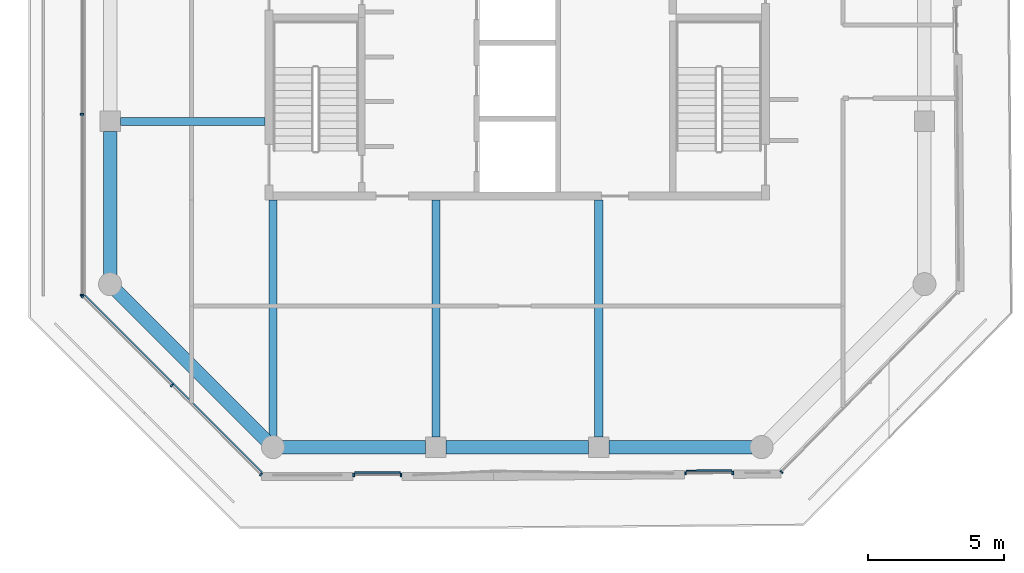
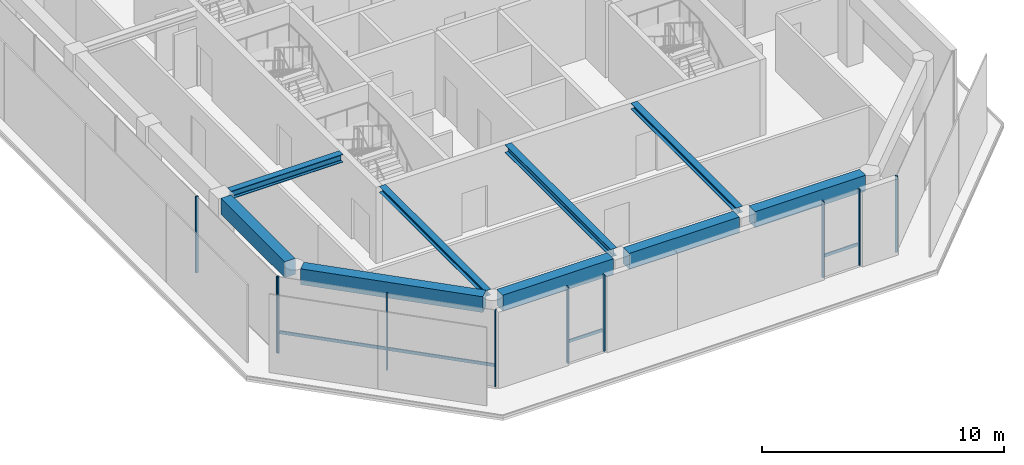
# One storey, part 2 of 18: 13 members, 9 beams, 5 elements without a shape of their own.
"""IFC4 building model written with IfcOpenShell, lengths in metres."""

from ifc_helpers import new_model, si_unit, direction, frame, origin, origin_2d, place, context, subcontext, project, spatial, rectangle, i_section, extrude, material, layer, layer_set, material_profile, profile_set, type_object, element, aggregate, save


model = new_model("IFC4")

# Units and contexts
model_context = context("Model", 3, precision=1e-05, world=origin(), true_north=direction((0.0, 1.0)))
body_context = subcontext(model_context, "Body", "Model", "MODEL_VIEW")
ifc_project = project(units=[si_unit("LENGTHUNIT", "METRE"), si_unit("AREAUNIT", "SQUARE_METRE"), si_unit("VOLUMEUNIT", "CUBIC_METRE"), si_unit("PLANEANGLEUNIT", "RADIAN"), si_unit("MASSUNIT", "GRAM", prefix="KILO")], contexts=[model_context])

# Site, building, storey
site_placement = place(None, origin())
site = spatial("IfcSite", under=ifc_project, at=site_placement, CompositionType="ELEMENT")
building_placement = place(site_placement, origin())
building = spatial("IfcBuilding", under=site, at=building_placement, Name="Welwitschia Terrace Campus", CompositionType="ELEMENT")
storey_placement = place(building_placement, frame((0.0, 0.0, 289.39990234375)))
storey = spatial("IfcBuildingStorey", under=building, at=storey_placement, Name="L64", CompositionType="ELEMENT", Elevation=289.39990234375)

# Beams
ifc_material_1 = material(Name="Steel S355", Category="steel")
ifc_material_profile_1 = material_profile(ifc_material_1, i_section(OverallWidth=0.300048828125, OverallDepth=0.300048828125, WebThickness=0.010986328125, FlangeThickness=0.01904296875, FilletRadius=0.027099609375, at=origin_2d()))
ifc_profile_set_1 = profile_set([ifc_material_profile_1], Name="Steel S355")
beam_type_1 = type_object("IfcBeamType", Name="Interior girder HE 300 B", PredefinedType="BEAM", material=ifc_profile_set_1)
beam_1_placement = place(storey_placement, frame((6.0, -3.611572265625, 3.7001953125), z_axis=(0.0, 1.0, 0.0), x_axis=(-1.0, 0.0, 0.0)))
element("IfcBeam", 1, at=beam_1_placement, inside=storey, type_object=beam_type_1, Name="Girder GB6", PredefinedType="BEAM", context=body_context, shape_type="SweptSolid", body=[
    extrude(i_section(OverallWidth=0.300048828125, OverallDepth=0.300048828125, WebThickness=0.010986328125, FlangeThickness=0.01904296875, FilletRadius=0.027099609375, at=origin_2d()), origin(), (0.0, 0.0, 1.0), 8.710693359375),
])
beam_2_placement = place(storey_placement, frame((18.0, -3.634521484375, 3.7001953125), z_axis=(0.0, 1.0, 0.0), x_axis=(-1.0, 0.0, 0.0)))
element("IfcBeam", 2, at=beam_2_placement, inside=storey, type_object=beam_type_1, Name="Girder GB6", PredefinedType="BEAM", context=body_context, shape_type="SweptSolid", body=[
    extrude(i_section(OverallWidth=0.300048828125, OverallDepth=0.300048828125, WebThickness=0.010986328125, FlangeThickness=0.01904296875, FilletRadius=0.027099609375, at=origin_2d()), origin(), (0.0, 0.0, 1.0), 8.733642578125),
])

# Curtain wall, members
ifc_material_2 = material(Name="Bronze anodised aluminium", Category="aluminium")
ifc_layer = layer(ifc_material_2, 0.1201171875)
ifc_layer_set = layer_set([ifc_layer], Name="Bronze anodised aluminium")
curtain_wall_type = type_object("IfcCurtainWallType", Name="Curtain wall CW2 tower 6000", PredefinedType="NOTDEFINED", material=ifc_layer_set)
curtain_wall_1_placement = place(storey_placement, origin())
curtain_wall_1 = element("IfcCurtainWall", 3, at=curtain_wall_1_placement, inside=storey, type_object=curtain_wall_type, Name="CW L64.1.0", PredefinedType="NOTDEFINED")
ifc_material_3 = material(Name="Bronze anodised aluminium", Category="aluminium")
ifc_material_profile_2 = material_profile(ifc_material_3, rectangle(XDim=0.1201171875, YDim=0.06005859375, at=origin_2d()))
ifc_profile_set_2 = profile_set([ifc_material_profile_2], Name="Bronze anodised aluminium")
member_type_1 = type_object("IfcMemberType", Name="Mullion 60x120", PredefinedType="MULLION", material=ifc_profile_set_2)
member_1_placement = place(storey_placement, frame((-1.030029296875, 8.2607421875, 0.0), z_axis=(0.0, 0.0, 1.0), x_axis=(1.0, 0.0, 0.0)))
member_1 = element("IfcMember", 4, at=member_1_placement, type_object=member_type_1, Name="Mullion L64.1.0.3", PredefinedType="MULLION", context=body_context, shape_type="SweptSolid", body=[
    extrude(rectangle(XDim=0.1201171875, YDim=0.06005859375, at=origin_2d()), origin(), (0.0, 0.0, 1.0), 3.85009765625),
])
member_2_placement = place(storey_placement, frame((-1.030029296875, 1.603271484375, 0.0), z_axis=(0.0, 0.0, 1.0), x_axis=(1.0, 0.0, 0.0)))
member_2 = element("IfcMember", 5, at=member_2_placement, type_object=member_type_1, Name="Mullion L64.1.0.4", PredefinedType="MULLION", context=body_context, shape_type="SweptSolid", body=[
    extrude(rectangle(XDim=0.1201171875, YDim=0.06005859375, at=origin_2d()), origin(), (0.0, 0.0, 1.0), 3.85009765625),
])
aggregate(curtain_wall_1, [member_1, member_2])

curtain_wall_2_placement = place(storey_placement, origin())
curtain_wall_2 = element("IfcCurtainWall", 6, at=curtain_wall_2_placement, inside=storey, type_object=curtain_wall_type, Name="CW L64.2.0", PredefinedType="NOTDEFINED")
member_3_placement = place(storey_placement, frame((-1.0087890625, 1.55224609375, 0.0), z_axis=(0.0, 0.0, 1.0), x_axis=(0.707106781187, 0.707106781187, 0.0)))
member_3 = element("IfcMember", 7, at=member_3_placement, type_object=member_type_1, Name="Mullion L64.2.0.0", PredefinedType="MULLION", context=body_context, shape_type="SweptSolid", body=[
    extrude(rectangle(XDim=0.1201171875, YDim=0.06005859375, at=origin_2d()), origin(), (0.0, 0.0, 1.0), 3.85009765625),
])
member_4_placement = place(storey_placement, frame((2.271728515625, -1.728271484375, 0.0), z_axis=(0.0, 0.0, 1.0), x_axis=(0.707106781187, 0.707106781187, 0.0)))
member_4 = element("IfcMember", 8, at=member_4_placement, type_object=member_type_1, Name="Mullion L64.2.0.1", PredefinedType="MULLION", context=body_context, shape_type="SweptSolid", body=[
    extrude(rectangle(XDim=0.1201171875, YDim=0.06005859375, at=origin_2d()), origin(), (0.0, 0.0, 1.0), 3.85009765625),
])
member_5_placement = place(storey_placement, frame((5.55224609375, -5.0087890625, 0.0), z_axis=(0.0, 0.0, 1.0), x_axis=(0.707106781187, 0.707106781187, 0.0)))
member_5 = element("IfcMember", 9, at=member_5_placement, type_object=member_type_1, Name="Mullion L64.2.0.2", PredefinedType="MULLION", context=body_context, shape_type="SweptSolid", body=[
    extrude(rectangle(XDim=0.1201171875, YDim=0.06005859375, at=origin_2d()), origin(), (0.0, 0.0, 1.0), 3.85009765625),
])

curtain_wall_3_placement = place(storey_placement, origin())
curtain_wall_3 = element("IfcCurtainWall", 10, at=curtain_wall_3_placement, inside=storey, type_object=curtain_wall_type, Name="CW L64.3.S0", PredefinedType="NOTDEFINED")
member_6_placement = place(storey_placement, frame((8.97607421875, -5.030029296875, 0.0), z_axis=(0.0, 0.0, 1.0), x_axis=(0.0, 1.0, 0.0)))
member_6 = element("IfcMember", 11, at=member_6_placement, type_object=member_type_1, Name="Mullion L64.3.S0.0", PredefinedType="MULLION", context=body_context, shape_type="SweptSolid", body=[
    extrude(rectangle(XDim=0.1201171875, YDim=0.06005859375, at=origin_2d()), origin(), (0.0, 0.0, 1.0), 3.85009765625),
])
member_7_placement = place(storey_placement, frame((10.716064453125, -5.030029296875, 0.0), z_axis=(0.0, 0.0, 1.0), x_axis=(0.0, 1.0, 0.0)))
member_7 = element("IfcMember", 12, at=member_7_placement, type_object=member_type_1, Name="Mullion L64.3.S0.1", PredefinedType="MULLION", context=body_context, shape_type="SweptSolid", body=[
    extrude(rectangle(XDim=0.1201171875, YDim=0.06005859375, at=origin_2d()), origin(), (0.0, 0.0, 1.0), 3.85009765625),
])

curtain_wall_4_placement = place(storey_placement, origin())
curtain_wall_4 = element("IfcCurtainWall", 13, at=curtain_wall_4_placement, inside=storey, type_object=curtain_wall_type, Name="CW L64.4.S0", PredefinedType="NOTDEFINED")
member_8_placement = place(storey_placement, frame((21.1982421875, -4.96826171875, 0.0), z_axis=(0.0, 0.0, 1.0), x_axis=(-0.008726535498, 0.999961923064, 0.0)))
member_8 = element("IfcMember", 14, at=member_8_placement, type_object=member_type_1, Name="Mullion L64.4.S0.0", PredefinedType="MULLION", context=body_context, shape_type="SweptSolid", body=[
    extrude(rectangle(XDim=0.1201171875, YDim=0.06005859375, at=origin_2d()), origin(), (0.0, 0.0, 1.0), 3.85009765625),
])
member_9_placement = place(storey_placement, frame((22.93798828125, -4.953125, 0.0), z_axis=(0.0, 0.0, 1.0), x_axis=(-0.008726535498, 0.999961923064, 0.0)))
member_9 = element("IfcMember", 15, at=member_9_placement, type_object=member_type_1, Name="Mullion L64.4.S0.1", PredefinedType="MULLION", context=body_context, shape_type="SweptSolid", body=[
    extrude(rectangle(XDim=0.1201171875, YDim=0.06005859375, at=origin_2d()), origin(), (0.0, 0.0, 1.0), 3.85009765625),
])

# Curtain wall, member
curtain_wall_5_placement = place(storey_placement, origin())
curtain_wall_5 = element("IfcCurtainWall", 16, at=curtain_wall_5_placement, inside=storey, type_object=curtain_wall_type, Name="CW L64.5.0", PredefinedType="NOTDEFINED")
member_10_placement = place(storey_placement, frame((24.739013671875, -4.916015625, 0.0), z_axis=(0.0, 0.0, 1.0), x_axis=(-0.713250449154, 0.7009092643, 0.0)))
member_10 = element("IfcMember", 17, at=member_10_placement, type_object=member_type_1, Name="Mullion L64.5.0.0", PredefinedType="MULLION", context=body_context, shape_type="SweptSolid", body=[
    extrude(rectangle(XDim=0.1201171875, YDim=0.06005859375, at=origin_2d()), origin(), (0.0, 0.0, 1.0), 3.85009765625),
])
aggregate(curtain_wall_5, [member_10])

# Beams
ifc_material_4 = material(Name="Steel S355", Category="steel")
ifc_material_profile_3 = material_profile(ifc_material_4, i_section(OverallWidth=0.300048828125, OverallDepth=0.39990234375, WebThickness=0.013427734375, FlangeThickness=0.02392578125, FilletRadius=0.027099609375, at=origin_2d()))
ifc_profile_set_3 = profile_set([ifc_material_profile_3], Name="Steel S355")
beam_type_2 = type_object("IfcBeamType", Name="Primary beam HE 400 B", PredefinedType="BEAM", material=ifc_profile_set_3)
beam_3_placement = place(storey_placement, frame((12.0, -3.62451171875, 3.650146484375), z_axis=(0.0, 1.0, 0.0), x_axis=(-1.0, 0.0, 0.0)))
element("IfcBeam", 18, at=beam_3_placement, inside=storey, type_object=beam_type_2, Name="Primary beam PB6", PredefinedType="BEAM", context=body_context, shape_type="SweptSolid", body=[
    extrude(i_section(OverallWidth=0.300048828125, OverallDepth=0.39990234375, WebThickness=0.013427734375, FlangeThickness=0.02392578125, FilletRadius=0.027099609375, at=origin_2d()), origin(), (0.0, 0.0, 1.0), 8.724609375),
])
beam_4_placement = place(storey_placement, frame((0.37548828125, 8.0, 3.650146484375), z_axis=(1.0, 0.0, 0.0), x_axis=(0.0, 1.0, 0.0)))
element("IfcBeam", 19, at=beam_4_placement, inside=storey, type_object=beam_type_2, Name="Primary beam PB6", PredefinedType="BEAM", context=body_context, shape_type="SweptSolid", body=[
    extrude(i_section(OverallWidth=0.300048828125, OverallDepth=0.39990234375, WebThickness=0.013427734375, FlangeThickness=0.02392578125, FilletRadius=0.027099609375, at=origin_2d()), origin(), (0.0, 0.0, 1.0), 5.324462890625),
])
ifc_material_5 = material(Name="Concrete C50/60", Category="concrete")
ifc_material_profile_4 = material_profile(ifc_material_5, rectangle(XDim=0.5, YDim=0.800048828125, at=origin_2d()))
ifc_profile_set_4 = profile_set([ifc_material_profile_4], Name="Concrete C50/60")
beam_type_3 = type_object("IfcBeamType", Name="Ring spandrel 500x800", PredefinedType="SPANDREL", material=ifc_profile_set_4)
beam_5_placement = place(storey_placement, frame((0.24365234375, 1.75634765625, 3.4501953125), z_axis=(0.707106781187, -0.707106781187, 0.0), x_axis=(0.707106781187, 0.707106781187, 0.0)))
element("IfcBeam", 20, at=beam_5_placement, inside=storey, type_object=beam_type_3, Name="Spandrel SP4", PredefinedType="SPANDREL", context=body_context, shape_type="SweptSolid", body=[
    extrude(rectangle(XDim=0.5, YDim=0.800048828125, at=origin_2d()), origin(), (0.0, 0.0, 1.0), 7.796142578125),
])
beam_6_placement = place(storey_placement, frame((6.344482421875, -4.0, 3.4501953125), z_axis=(1.0, 0.0, 0.0), x_axis=(0.0, 1.0, 0.0)))
element("IfcBeam", 21, at=beam_6_placement, inside=storey, type_object=beam_type_3, Name="Spandrel SP4", PredefinedType="SPANDREL", context=body_context, shape_type="SweptSolid", body=[
    extrude(rectangle(XDim=0.5, YDim=0.800048828125, at=origin_2d()), origin(), (0.0, 0.0, 1.0), 5.280029296875),
])
beam_7_placement = place(storey_placement, frame((12.37548828125, -4.0, 3.4501953125), z_axis=(1.0, 0.0, 0.0), x_axis=(0.0, 1.0, 0.0)))
element("IfcBeam", 22, at=beam_7_placement, inside=storey, type_object=beam_type_3, Name="Spandrel SP4", PredefinedType="SPANDREL", context=body_context, shape_type="SweptSolid", body=[
    extrude(rectangle(XDim=0.5, YDim=0.800048828125, at=origin_2d()), origin(), (0.0, 0.0, 1.0), 5.2490234375),
])
for number, where, z_axis, x_axis, name in (
    (23, (18.37548828125, -4.0, 3.4501953125), (1.0, 0.0, 0.0), (0.0, 1.0, 0.0), "Spandrel SP4"),
    (24, (0.0, 7.62451171875, 3.4501953125), (0.0, -1.0, 0.0), (1.0, 0.0, 0.0), "Spandrel SP4"),
):
    element("IfcBeam", number, at=place(storey_placement, frame(where, z_axis=z_axis, x_axis=x_axis)), inside=storey, type_object=beam_type_3, Name=name, PredefinedType="SPANDREL", context=body_context, shape_type="SweptSolid", body=[
        extrude(rectangle(XDim=0.5, YDim=0.800048828125, at=origin_2d()), origin(), (0.0, 0.0, 1.0), 5.280029296875),
    ])

# Member
ifc_material_6 = material(Name="Bronze anodised aluminium", Category="aluminium")
ifc_material_profile_5 = material_profile(ifc_material_6, rectangle(XDim=0.06005859375, YDim=0.14990234375, at=origin_2d()))
ifc_profile_set_5 = profile_set([ifc_material_profile_5], Name="Bronze anodised aluminium")
member_type_2 = type_object("IfcMemberType", Name="Transom 60x150", PredefinedType="USERDEFINED", material=ifc_profile_set_5)
member_11_placement = place(storey_placement, frame((-0.923828125, 1.594482421875, 1.0), z_axis=(0.707106781187, -0.707106781187, 0.0), x_axis=(0.707106781187, 0.707106781187, 0.0)))
member_11 = element("IfcMember", 25, at=member_11_placement, type_object=member_type_2, Name="Transom L64.2.0", ObjectType="TRANSOM", PredefinedType="USERDEFINED", context=body_context, shape_type="SweptSolid", body=[
    extrude(rectangle(XDim=0.06005859375, YDim=0.14990234375, at=origin_2d()), origin(), (0.0, 0.0, 1.0), 9.21826171875),
])

aggregate(curtain_wall_2, [member_3, member_4, member_5, member_11])

member_12_placement = place(storey_placement, frame((9.006103515625, -4.93994140625, 1.0), z_axis=(1.0, 0.0, 0.0), x_axis=(0.0, 1.0, 0.0)))
member_12 = element("IfcMember", 26, at=member_12_placement, type_object=member_type_2, Name="Transom L64.3.S0", ObjectType="TRANSOM", PredefinedType="USERDEFINED", context=body_context, shape_type="SweptSolid", body=[
    extrude(rectangle(XDim=0.06005859375, YDim=0.14990234375, at=origin_2d()), origin(), (0.0, 0.0, 1.0), 1.679931640625),
])

aggregate(curtain_wall_3, [member_6, member_7, member_12])

member_13_placement = place(storey_placement, frame((21.227294921875, -4.8779296875, 1.0), z_axis=(0.999961985908, 0.00871933137, 0.0), x_axis=(-0.00871933137, 0.999961985908, 0.0)))
member_13 = element("IfcMember", 27, at=member_13_placement, type_object=member_type_2, Name="Transom L64.4.S0", ObjectType="TRANSOM", PredefinedType="USERDEFINED", context=body_context, shape_type="SweptSolid", body=[
    extrude(rectangle(XDim=0.06005859375, YDim=0.14990234375, at=origin_2d()), origin(), (0.0, 0.0, 1.0), 1.679931640625),
])

aggregate(curtain_wall_4, [member_8, member_9, member_13])

save(model, "model.ifc")
